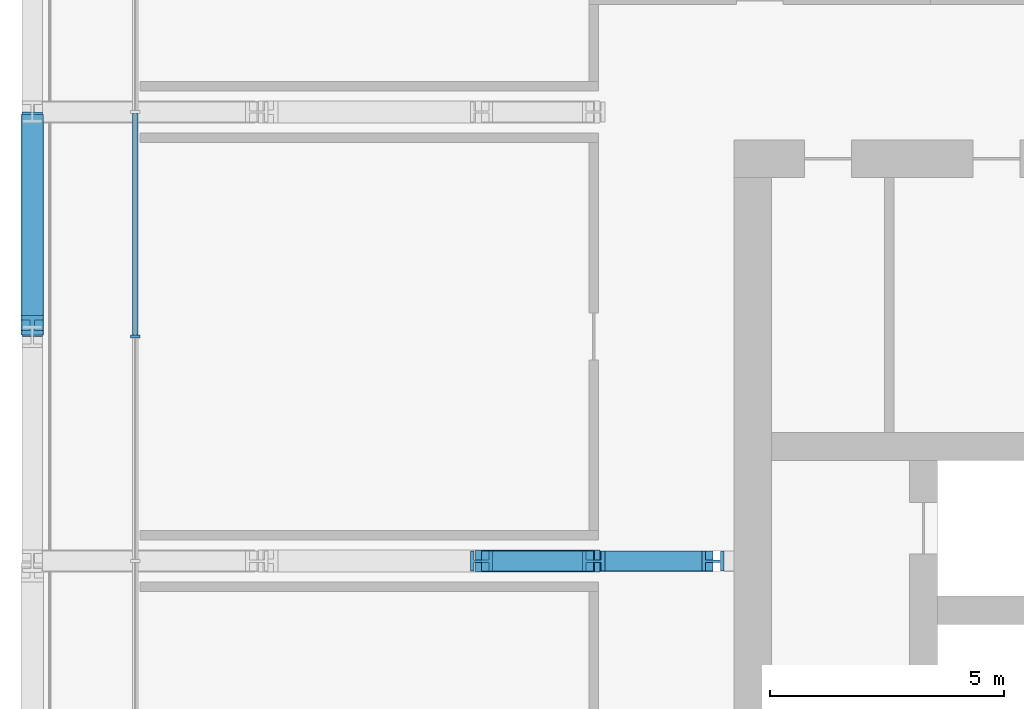
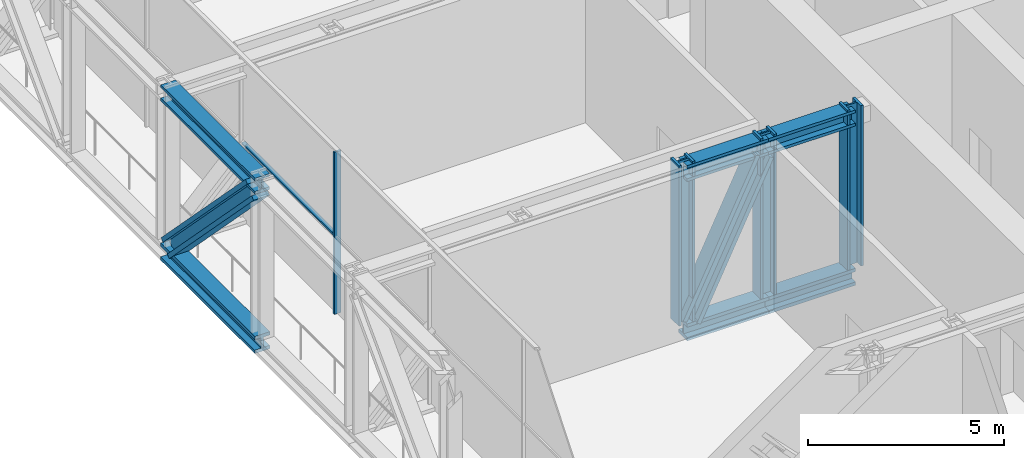
# One storey, part 6 of 25: 13 members, 1 element without a shape of its own.
"""IFC4 building model written with IfcOpenShell, lengths in metres."""

from ifc_helpers import new_model, si_unit, direction, frame, origin, origin_2d, place, context, subcontext, project, spatial, rectangle, i_section, extrude, material, layer, layer_set, material_profile, profile_set, type_object, element, aggregate, save


model = new_model("IFC4")

# Units and contexts
model_context = context("Model", 3, precision=1e-05, world=origin(), true_north=direction((0.0, 1.0)))
body_context = subcontext(model_context, "Body", "Model", "MODEL_VIEW")
ifc_project = project(units=[si_unit("LENGTHUNIT", "METRE"), si_unit("AREAUNIT", "SQUARE_METRE"), si_unit("VOLUMEUNIT", "CUBIC_METRE"), si_unit("PLANEANGLEUNIT", "RADIAN"), si_unit("MASSUNIT", "GRAM", prefix="KILO")], contexts=[model_context])

# Site, building, storey
site_placement = place(None, origin())
site = spatial("IfcSite", under=ifc_project, at=site_placement, CompositionType="ELEMENT")
building_placement = place(site_placement, origin())
building = spatial("IfcBuilding", under=site, at=building_placement, Name="Madar Terraces", CompositionType="ELEMENT")
storey_placement = place(building_placement, frame((0.0, 0.0, 113.699951171875)))
storey = spatial("IfcBuildingStorey", under=building, at=storey_placement, Name="L29", CompositionType="ELEMENT", Elevation=113.699951171875)

# Members
ifc_material_1 = material(Name="Steel ASTM A913 Grade 65", Category="steel")
ifc_material_profile_1 = material_profile(ifc_material_1, i_section(OverallWidth=0.44189453125, OverallDepth=0.53076171875, WebThickness=0.06591796875, FlangeThickness=0.105712890625, at=origin_2d()), Name="W14x605")
ifc_profile_set_1 = profile_set([ifc_material_profile_1], Name="Steel ASTM A913 Grade 65")
member_type_1 = type_object("IfcMemberType", Name="BC4 W14x605", PredefinedType="CHORD", material=ifc_profile_set_1)
member_1_placement = place(storey_placement, frame((0.0, 38.39990234375, -0.154541015625), z_axis=(0.0, -1.0, 0.0), x_axis=(1.0, 0.0, 0.0)))
element("IfcMember", 1, at=member_1_placement, inside=storey, type_object=member_type_1, Name="Exoskeleton truss ring bottom chord BC4", PredefinedType="CHORD", context=body_context, shape_type="SweptSolid", body=[
    extrude(i_section(OverallWidth=0.44189453125, OverallDepth=0.53076171875, WebThickness=0.06591796875, FlangeThickness=0.105712890625, at=origin_2d()), origin(), (0.0, 0.0, 1.0), 4.7998046875),
])
member_2_placement = place(storey_placement, frame((9.60009765625, 28.800048828125, -0.154541015625), z_axis=(1.0, 0.0, 0.0), x_axis=(0.0, 1.0, 0.0)))
element("IfcMember", 2, at=member_2_placement, inside=storey, type_object=member_type_1, Name="Exoskeleton truss cross W28.8 bottom chord BC4", PredefinedType="CHORD", context=body_context, shape_type="SweptSolid", body=[
    extrude(i_section(OverallWidth=0.44189453125, OverallDepth=0.53076171875, WebThickness=0.06591796875, FlangeThickness=0.105712890625, at=origin_2d()), origin(), (0.0, 0.0, 1.0), 2.39990234375),
])
member_3_placement = place(storey_placement, frame((12.0, 28.800048828125, -0.154541015625), z_axis=(1.0, 0.0, 0.0), x_axis=(0.0, 1.0, 0.0)))
element("IfcMember", 3, at=member_3_placement, inside=storey, type_object=member_type_1, Name="Exoskeleton truss cross W28.8 bottom chord BC4", PredefinedType="CHORD", context=body_context, shape_type="SweptSolid", body=[
    extrude(i_section(OverallWidth=0.44189453125, OverallDepth=0.53076171875, WebThickness=0.06591796875, FlangeThickness=0.105712890625, at=origin_2d()), origin(), (0.0, 0.0, 1.0), 2.550048828125),
])

# Curtain wall, members
ifc_material_2 = material(Name="Glass, ceramic frit dark grey, with black aluminium frame", Category="aluminium")
ifc_layer = layer(ifc_material_2, 0.199951171875)
ifc_layer_set = layer_set([ifc_layer], Name="Facade curtain wall, tall glazing")
curtain_wall_type = type_object("IfcCurtainWallType", Name="Facade curtain wall, tall glazing", PredefinedType="NOTDEFINED", material=ifc_layer_set)
curtain_wall_placement = place(storey_placement, origin())
curtain_wall = element("IfcCurtainWall", 4, at=curtain_wall_placement, inside=storey, type_object=curtain_wall_type, Name="Outer skin curtain wall west bay 1", PredefinedType="NOTDEFINED")
ifc_material_3 = material(Name="Aluminium, black anodised", Category="aluminium")
ifc_material_profile_2 = material_profile(ifc_material_3, rectangle(XDim=0.199951171875, YDim=0.06005859375, at=origin_2d()), Name="Facade mullion 60x200")
ifc_profile_set_2 = profile_set([ifc_material_profile_2], Name="Aluminium, black anodised")
member_type_2 = type_object("IfcMemberType", Name="Facade mullion 60x200", PredefinedType="MULLION", material=ifc_profile_set_2)
member_4_placement = place(storey_placement, frame((2.199951171875, 33.60009765625, 0.0), z_axis=(0.0, 0.0, 1.0), x_axis=(1.0, 0.0, 0.0)))
member_4 = element("IfcMember", 5, at=member_4_placement, type_object=member_type_2, Name="Mullion 3", PredefinedType="MULLION", context=body_context, shape_type="SweptSolid", body=[
    extrude(rectangle(XDim=0.199951171875, YDim=0.06005859375, at=origin_2d()), origin(), (0.0, 0.0, 1.0), 5.0400390625),
])
ifc_material_4 = material(Name="Aluminium, black anodised", Category="aluminium")
ifc_material_profile_3 = material_profile(ifc_material_4, rectangle(XDim=0.1201171875, YDim=0.06005859375, at=origin_2d()), Name="Facade transom 60x120")
ifc_profile_set_3 = profile_set([ifc_material_profile_3], Name="Aluminium, black anodised")
member_type_3 = type_object("IfcMemberType", Name="Facade transom 60x120", PredefinedType="USERDEFINED", material=ifc_profile_set_3)
member_5_placement = place(storey_placement, frame((2.199951171875, 38.3701171875, 2.400146484375), z_axis=(0.0, -1.0, 0.0), x_axis=(1.0, 0.0, 0.0)))
member_5 = element("IfcMember", 6, at=member_5_placement, type_object=member_type_3, Name="Transom 4", ObjectType="TRANSOM", PredefinedType="USERDEFINED", context=body_context, shape_type="SweptSolid", body=[
    extrude(rectangle(XDim=0.1201171875, YDim=0.06005859375, at=origin_2d()), origin(), (0.0, 0.0, 1.0), 4.740234375),
])
aggregate(curtain_wall, [member_4, member_5])

# Members
ifc_material_5 = material(Name="Steel ASTM A913 Grade 65", Category="steel")
ifc_material_profile_4 = material_profile(ifc_material_5, i_section(OverallWidth=0.431884765625, OverallDepth=0.497802734375, WebThickness=0.0556640625, FlangeThickness=0.0888671875, at=origin_2d()), Name="W14x500")
ifc_profile_set_4 = profile_set([ifc_material_profile_4], Name="Steel ASTM A913 Grade 65")
member_type_4 = type_object("IfcMemberType", Name="TC4 W14x500", PredefinedType="CHORD", material=ifc_profile_set_4)
member_6_placement = place(storey_placement, frame((0.0, 38.39990234375, 4.78125), z_axis=(0.0, -1.0, 0.0), x_axis=(1.0, 0.0, 0.0)))
element("IfcMember", 7, at=member_6_placement, inside=storey, type_object=member_type_4, Name="Exoskeleton truss ring top chord TC4", PredefinedType="CHORD", context=body_context, shape_type="SweptSolid", body=[
    extrude(i_section(OverallWidth=0.431884765625, OverallDepth=0.497802734375, WebThickness=0.0556640625, FlangeThickness=0.0888671875, at=origin_2d()), origin(), (0.0, 0.0, 1.0), 4.7998046875),
])
member_7_placement = place(storey_placement, frame((9.60009765625, 28.800048828125, 4.78125), z_axis=(1.0, 0.0, 0.0), x_axis=(0.0, 1.0, 0.0)))
element("IfcMember", 8, at=member_7_placement, inside=storey, type_object=member_type_4, Name="Exoskeleton truss cross W28.8 top chord TC4", PredefinedType="CHORD", context=body_context, shape_type="SweptSolid", body=[
    extrude(i_section(OverallWidth=0.431884765625, OverallDepth=0.497802734375, WebThickness=0.0556640625, FlangeThickness=0.0888671875, at=origin_2d()), origin(), (0.0, 0.0, 1.0), 2.39990234375),
])
member_8_placement = place(storey_placement, frame((12.0, 28.800048828125, 4.78125), z_axis=(1.0, 0.0, 0.0), x_axis=(0.0, 1.0, 0.0)))
element("IfcMember", 9, at=member_8_placement, inside=storey, type_object=member_type_4, Name="Exoskeleton truss cross W28.8 top chord TC4", PredefinedType="CHORD", context=body_context, shape_type="SweptSolid", body=[
    extrude(i_section(OverallWidth=0.431884765625, OverallDepth=0.497802734375, WebThickness=0.0556640625, FlangeThickness=0.0888671875, at=origin_2d()), origin(), (0.0, 0.0, 1.0), 2.550048828125),
])
ifc_material_6 = material(Name="Steel ASTM A913 Grade 65", Category="steel")
ifc_material_profile_5 = material_profile(ifc_material_6, i_section(OverallWidth=0.472412109375, OverallDepth=0.5791015625, WebThickness=0.094970703125, FlangeThickness=0.130126953125, at=origin_2d()), Name="W14x808")
ifc_profile_set_5 = profile_set([ifc_material_profile_5], Name="Steel ASTM A913 Grade 65")
member_type_5 = type_object("IfcMemberType", Name="TD4 W14x808", PredefinedType="BRACE", material=ifc_profile_set_5)
member_9_placement = place(storey_placement, frame((0.0, 38.141845703125, 0.11083984375), z_axis=(0.0, -0.697181267802, 0.716894887571), x_axis=(1.0, 0.0, 0.0)))
element("IfcMember", 10, at=member_9_placement, inside=storey, type_object=member_type_5, Name="Exoskeleton truss ring diagonal TD4", PredefinedType="BRACE", context=body_context, shape_type="SweptSolid", body=[
    extrude(i_section(OverallWidth=0.472412109375, OverallDepth=0.5791015625, WebThickness=0.094970703125, FlangeThickness=0.130126953125, at=origin_2d()), origin(), (0.0, 0.0, 1.0), 6.16748046875),
])
member_10_placement = place(storey_placement, frame((9.72900390625, 28.800048828125, 0.11083984375), z_axis=(0.43729423743, 0.0, 0.899318491921), x_axis=(0.0, 1.0, 0.0)))
element("IfcMember", 11, at=member_10_placement, inside=storey, type_object=member_type_5, Name="Exoskeleton truss cross W28.8 diagonal TD4", PredefinedType="BRACE", context=body_context, shape_type="SweptSolid", body=[
    extrude(i_section(OverallWidth=0.472412109375, OverallDepth=0.5791015625, WebThickness=0.094970703125, FlangeThickness=0.130126953125, at=origin_2d()), origin(), (0.0, 0.0, 1.0), 4.916259765625),
])
ifc_material_7 = material(Name="Steel ASTM A913 Grade 65", Category="steel")
ifc_material_profile_6 = material_profile(ifc_material_7, i_section(OverallWidth=0.424072265625, OverallDepth=0.47509765625, WebThickness=0.0478515625, FlangeThickness=0.0771484375, at=origin_2d()), Name="W14x426")
ifc_profile_set_6 = profile_set([ifc_material_profile_6], Name="Steel ASTM A913 Grade 65")
member_type_6 = type_object("IfcMemberType", Name="TV4 W14x426", PredefinedType="POST", material=ifc_profile_set_6)
for number, where, z_axis, x_axis, name in (
    (12, (9.60009765625, 28.800048828125, 0.11083984375), (0.0, 0.0, 1.0), (0.0, 1.0, 0.0), "Exoskeleton truss cross W28.8 post TV4"),
    (13, (12.0, 28.800048828125, 0.11083984375), (0.0, 0.0, 1.0), (0.0, 1.0, 0.0), "Exoskeleton truss cross W28.8 post TV4"),
    (14, (14.550048828125, 28.800048828125, 0.11083984375), (0.0, 0.0, 1.0), (0.0, 1.0, 0.0), "Exoskeleton truss cross W28.8 post TV4"),
):
    element("IfcMember", number, at=place(storey_placement, frame(where, z_axis=z_axis, x_axis=x_axis)), inside=storey, type_object=member_type_6, Name=name, PredefinedType="POST", context=body_context, shape_type="SweptSolid", body=[
        extrude(i_section(OverallWidth=0.424072265625, OverallDepth=0.47509765625, WebThickness=0.0478515625, FlangeThickness=0.0771484375, at=origin_2d()), origin(), (0.0, 0.0, 1.0), 4.9892578125),
    ])

save(model, "model.ifc")
